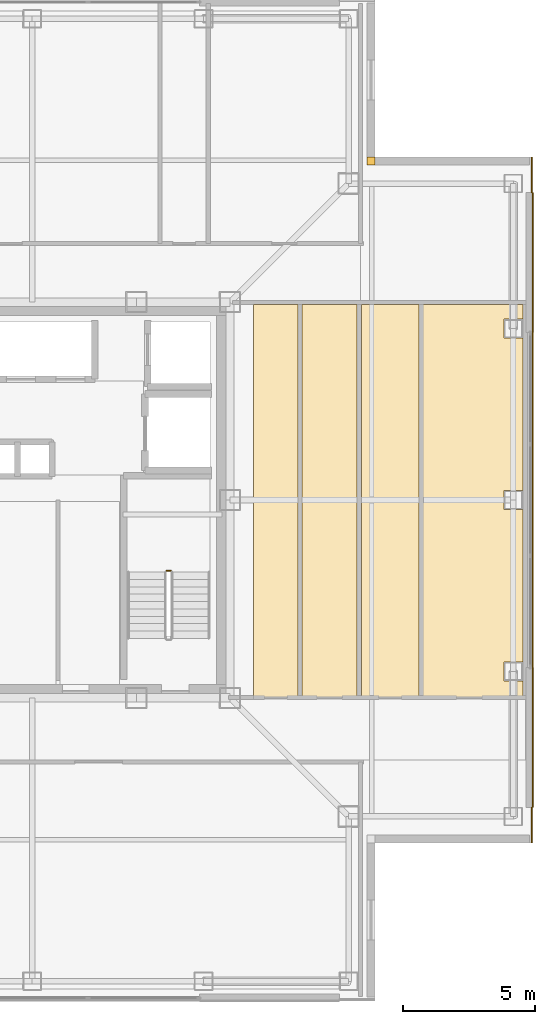
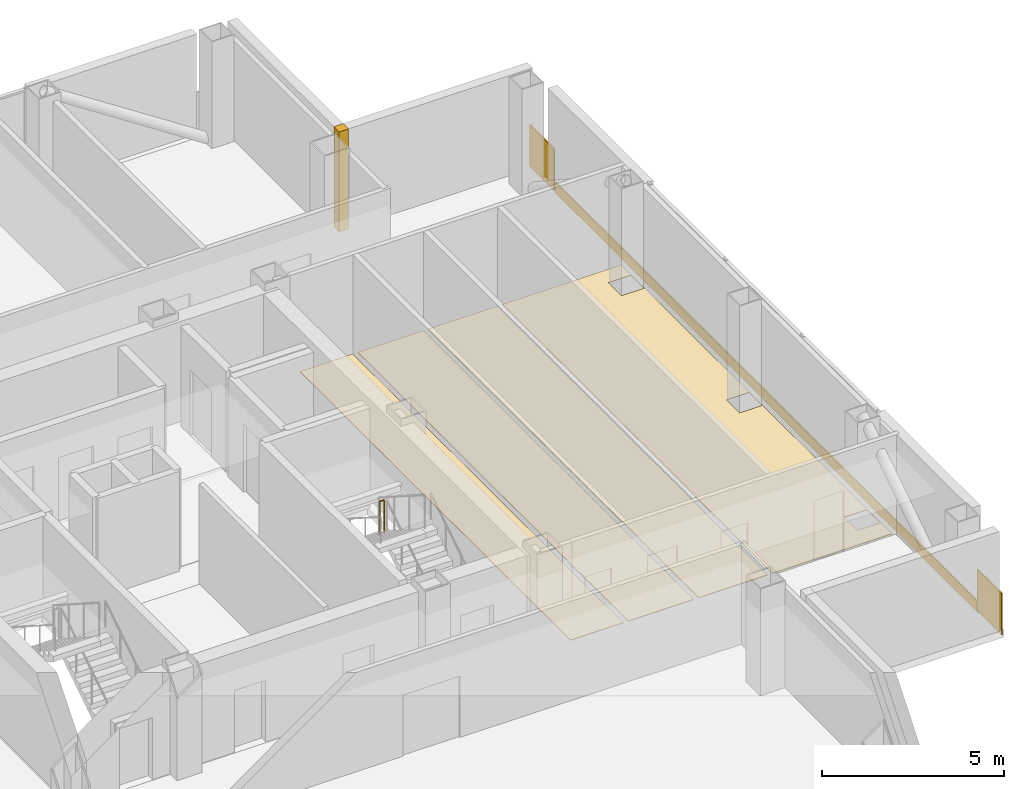
# One storey, part 15 of 16: 8 coverings, 1 railing.
"""IFC4 building model written with IfcOpenShell, lengths in metres."""

from ifc_helpers import new_model, si_unit, direction, frame, frame_2d, origin, origin_2d, place, context, subcontext, project, spatial, polyline, rectangle, circle, outline, extrude, material, layer, layer_set, type_object, element, save


model = new_model("IFC4")

# Units and contexts
model_context = context("Model", 3, precision=1e-05, world=origin(), true_north=direction((0.0, 1.0)))
body_context = subcontext(model_context, "Body", "Model", "MODEL_VIEW")
ifc_project = project(units=[si_unit("LENGTHUNIT", "METRE"), si_unit("AREAUNIT", "SQUARE_METRE"), si_unit("VOLUMEUNIT", "CUBIC_METRE"), si_unit("PLANEANGLEUNIT", "RADIAN"), si_unit("MASSUNIT", "GRAM", prefix="KILO")], contexts=[model_context])

# Site, building, storey
site_placement = place(None, origin())
site = spatial("IfcSite", under=ifc_project, at=site_placement, CompositionType="ELEMENT")
building_placement = place(site_placement, origin())
building = spatial("IfcBuilding", under=site, at=building_placement, Name="Trevonay Congress Spire", CompositionType="ELEMENT")
storey_placement = place(building_placement, frame((0.0, 0.0, 257.60009765625)))
storey = spatial("IfcBuildingStorey", under=building, at=storey_placement, Name="L67", CompositionType="ELEMENT", Elevation=257.60009765625)

# Coverings
ifc_material_1 = material(Name="Polished Granite Floor Tile", Category="masonry")
ifc_layer_1 = layer(ifc_material_1, 0.02001953125, Name="Polished Granite Floor Tile")
ifc_layer_set_1 = layer_set([ifc_layer_1], Name="Polished Granite Floor Tile")
covering_type_1 = type_object("IfcCoveringType", Name="COV-FLOOR-STONE", PredefinedType="FLOORING", material=ifc_layer_set_1)
covering_1_placement = place(storey_placement, origin())
element("IfcCovering", 1, at=covering_1_placement, inside=storey, type_object=covering_type_1, Name="L67 Female Restroom WC floor finish", PredefinedType="FLOORING", context=body_context, shape_type="SweptSolid", body=[
    extrude(outline(polyline([(8.39990234375, -7.47998046875), (10.080078125, -7.47998046875), (10.080078125, 7.419921875), (8.39990234375, 7.419921875), (8.39990234375, -7.47998046875)])), origin(), (0.0, 0.0, 1.0), 0.02001953125),
])
covering_2_placement = place(storey_placement, origin())
element("IfcCovering", 2, at=covering_2_placement, inside=storey, type_object=covering_type_1, Name="L67 Floor Supplies and Copy Room floor finish", PredefinedType="FLOORING", context=body_context, shape_type="SweptSolid", body=[
    extrude(outline(polyline([(10.239990234375, -7.47998046875), (12.320068359375, -7.47998046875), (12.320068359375, 7.419921875), (10.239990234375, 7.419921875), (10.239990234375, -7.47998046875)])), origin(), (0.0, 0.0, 1.0), 0.02001953125),
])
covering_3_placement = place(storey_placement, origin())
element("IfcCovering", 3, at=covering_3_placement, inside=storey, type_object=covering_type_1, Name="L67 Male Restroom WC floor finish", PredefinedType="FLOORING", context=body_context, shape_type="SweptSolid", body=[
    extrude(outline(polyline([(12.47998046875, -7.47998046875), (14.669921875, -7.47998046875), (14.669921875, 7.419921875), (12.47998046875, 7.419921875), (12.47998046875, -7.47998046875)])), origin(), (0.0, 0.0, 1.0), 0.02001953125),
])
covering_4_placement = place(storey_placement, origin())
element("IfcCovering", 4, at=covering_4_placement, inside=storey, type_object=covering_type_1, Name="L67 Floor Supplies and Copy Room floor finish", PredefinedType="FLOORING", context=body_context, shape_type="SweptSolid", body=[
    extrude(outline(polyline([(14.830078125, 7.419921875), (18.6201171875, 7.419921875), (18.6201171875, -7.47998046875), (14.830078125, -7.47998046875), (14.830078125, 7.419921875)]), holes=[polyline([(17.889892578125, -6.860107421875), (18.610107421875, -6.860107421875), (18.610107421875, -6.139892578125), (17.889892578125, -6.139892578125), (17.889892578125, -6.860107421875)]), polyline([(17.889892578125, 0.360107421875), (17.889892578125, -0.360107421875), (18.610107421875, -0.360107421875), (18.610107421875, 0.360107421875), (17.889892578125, 0.360107421875)]), polyline([(17.889892578125, 6.860107421875), (17.889892578125, 6.139892578125), (18.610107421875, 6.139892578125), (18.610107421875, 6.860107421875), (17.889892578125, 6.860107421875)])]), origin(), (0.0, 0.0, 1.0), 0.02001953125),
])
ifc_material_2 = material(Name="Pale Anodised Aluminium EN AW-6063-T6", Category="aluminium")
ifc_layer_2 = layer(ifc_material_2, 0.0400390625, Name="Pale Anodised Aluminium EN AW-6063-T6")
ifc_layer_set_2 = layer_set([ifc_layer_2], Name="Pale Anodised Aluminium EN AW-6063-T6")
covering_type_2 = type_object("IfcCoveringType", Name="COV-SPANDREL-PALE-METAL", PredefinedType="CLADDING", material=ifc_layer_set_2)
covering_5_placement = place(storey_placement, frame((18.97998046875, -11.64990234375, -0.239990234375), z_axis=(0.0, 0.0, 1.0), x_axis=(0.0, 1.0, 0.0)))
element("IfcCovering", 5, at=covering_5_placement, inside=storey, type_object=covering_type_2, Name="L67 E pale-metal slab-edge spandrel cladding", PredefinedType="CLADDING", context=body_context, shape_type="SweptSolid", body=[
    extrude(rectangle(XDim=23.2998046875, YDim=0.0400390625, at=frame_2d((11.64990234375, 0.0))), origin(), (0.0, 0.0, 1.0), 0.35986328125),
])
covering_6_placement = place(storey_placement, frame((18.93994140625, -11.64990234375, -0.150146484375), z_axis=(0.0, 0.0, 1.0), x_axis=(0.0, -1.0, 0.0)))
element("IfcCovering", 6, at=covering_6_placement, inside=storey, type_object=covering_type_2, Name="L67 SE corner pier spandrel cladding 1", PredefinedType="CLADDING", context=body_context, shape_type="SweptSolid", body=[
    extrude(rectangle(XDim=1.35009765625, YDim=0.0400390625, at=frame_2d((0.675048828125, 0.0))), origin(), (0.0, 0.0, 1.0), 1.400146484375),
])
covering_7_placement = place(storey_placement, origin())
element("IfcCovering", 7, at=covering_7_placement, inside=storey, type_object=covering_type_2, Name="L67 NE re-entrant notch corner closure trim", PredefinedType="CLADDING", context=body_context, shape_type="SweptSolid", body=[
    extrude(outline(polyline([(12.699951171875, 12.699951171875), (13.0, 12.699951171875), (13.0, 13.0), (12.699951171875, 13.0), (12.699951171875, 12.699951171875)])), origin(), (0.0, 0.0, 1.0), 3.35986328125),
])
covering_8_placement = place(storey_placement, frame((18.93994140625, 11.64990234375, -0.150146484375), z_axis=(0.0, 0.0, 1.0), x_axis=(0.0, 1.0, 0.0)))
element("IfcCovering", 8, at=covering_8_placement, inside=storey, type_object=covering_type_2, Name="L67 NE corner pier spandrel cladding 1", PredefinedType="CLADDING", context=body_context, shape_type="SweptSolid", body=[
    extrude(rectangle(XDim=1.35009765625, YDim=0.0400390625, at=frame_2d((0.675048828125, 0.0))), origin(), (0.0, 0.0, 1.0), 1.400146484375),
])

# Railing
railing_type = type_object("IfcRailingType", Name="RAL-STAIR-GUARD-110", PredefinedType="GUARDRAIL", material=ifc_material_2)
railing_placement = place(storey_placement, frame((5.25, -2.679931640625, 1.7998046875)))
element("IfcRailing", 9, at=railing_placement, inside=storey, type_object=railing_type, Name="L67 ST-2 stair guard 2", PredefinedType="GUARDRAIL", context=body_context, shape_type="SweptSolid", body=[
    extrude(circle(Radius=0.02392578125, at=origin_2d()), frame((0.0, 0.0, 1.1259765625), z_axis=(-1.0, 0.0, 0.0), x_axis=(0.0, -1.0, 0.0)), (0.0, 0.0, 1.0), 0.14990234375),
    extrude(circle(Radius=0.02099609375, at=origin_2d()), origin(), (0.0, 0.0, 1.0), 1.101806640625),
    extrude(circle(Radius=0.02099609375, at=origin_2d()), frame((-0.14990234375, 0.0, 0.0)), (0.0, 0.0, 1.0), 1.101806640625),
])

save(model, "model.ifc")
